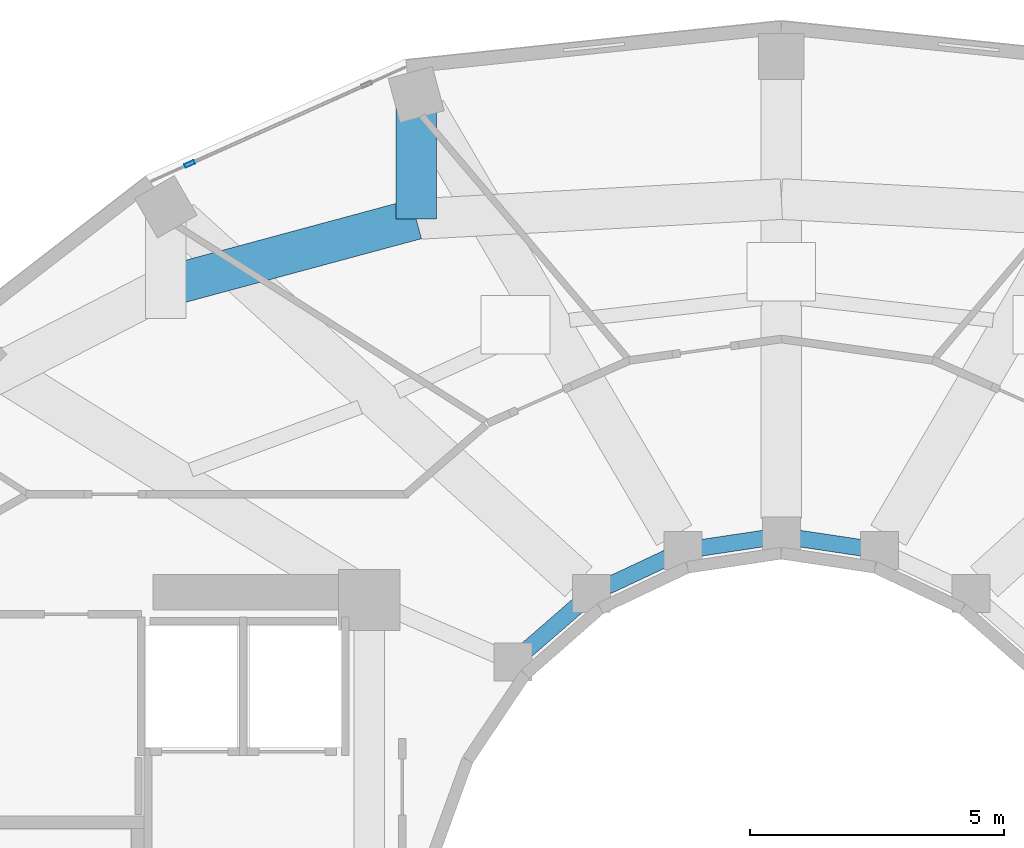
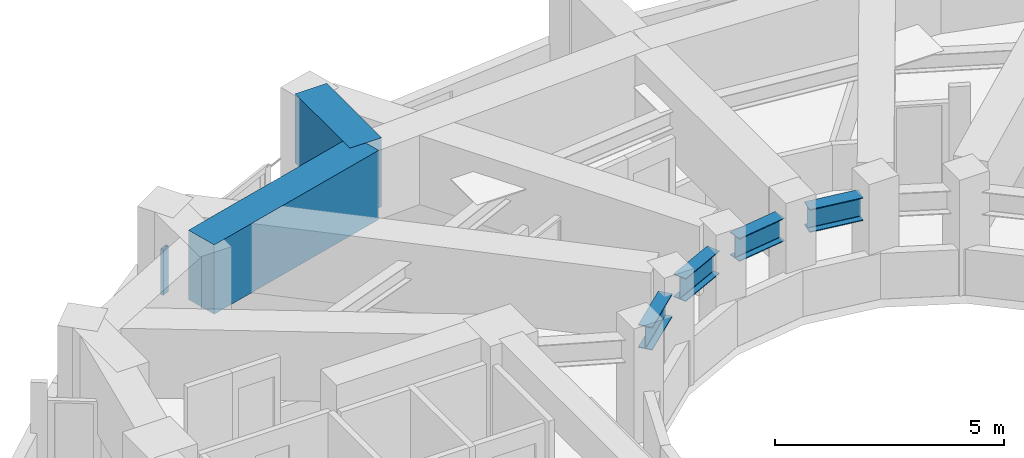
# One storey, part 6 of 20: 6 beams, 1 member, 1 element without a shape of its own.
"""IFC4 building model written with IfcOpenShell, lengths in metres."""

from ifc_helpers import new_model, si_unit, direction, frame, origin, origin_2d, place, context, subcontext, project, spatial, rectangle, hollow_rectangle, i_section, extrude, material, layer, layer_set, material_profile, profile_set, type_object, element, aggregate, save


model = new_model("IFC4")

# Units and contexts
model_context = context("Model", 3, precision=1e-05, world=origin(), true_north=direction((0.0, 1.0)))
body_context = subcontext(model_context, "Body", "Model", "MODEL_VIEW")
ifc_project = project(units=[si_unit("LENGTHUNIT", "METRE"), si_unit("AREAUNIT", "SQUARE_METRE"), si_unit("VOLUMEUNIT", "CUBIC_METRE"), si_unit("PLANEANGLEUNIT", "RADIAN"), si_unit("MASSUNIT", "GRAM", prefix="KILO")], contexts=[model_context])

# Site, building, storey
site_placement = place(None, origin())
site = spatial("IfcSite", under=ifc_project, at=site_placement, CompositionType="ELEMENT")
building_placement = place(site_placement, origin())
building = spatial("IfcBuilding", under=site, at=building_placement, Name="Solvane Sanctuary Tower", CompositionType="ELEMENT")
storey_placement = place(building_placement, frame((0.0, 0.0, 159.10009765625)))
storey = spatial("IfcBuildingStorey", under=building, at=storey_placement, Name="L48", CompositionType="ELEMENT", Elevation=159.10009765625)

# Beams
ifc_material_1 = material(Name="Steel ASTM A992 Grade 50", Category="steel")
ifc_material_profile_1 = material_profile(ifc_material_1, i_section(OverallWidth=0.324951171875, OverallDepth=0.615966796875, WebThickness=0.013916015625, FlangeThickness=0.021484375, FilletRadius=0.01611328125, at=origin_2d()), Name="W24X117")
ifc_profile_set_1 = profile_set([ifc_material_profile_1], Name="Steel ASTM A992 Grade 50")
beam_type_1 = type_object("IfcBeamType", Name="Beam B-RING-IN2 W24X117", PredefinedType="BEAM", material=ifc_profile_set_1)
beam_1_placement = place(storey_placement, frame((26.9853515625, 29.20849609375, 2.289794921875), z_axis=(0.754311313851, 0.656516901379, 0.0), x_axis=(-0.656516901379, 0.754311313851, 0.0)))
element("IfcBeam", 1, at=beam_1_placement, inside=storey, type_object=beam_type_1, Name="L48 Inner Light-Well Ring Beam IC07-IC06", PredefinedType="BEAM", context=body_context, shape_type="SweptSolid", body=[
    extrude(i_section(OverallWidth=0.324951171875, OverallDepth=0.615966796875, WebThickness=0.013916015625, FlangeThickness=0.021484375, FilletRadius=0.01611328125, at=origin_2d()), origin(), (0.0, 0.0, 1.0), 1.358154296875),
])
beam_2_placement = place(storey_placement, frame((28.582275390625, 30.473388671875, 2.289794921875), z_axis=(0.9051808128, 0.425026700502, 0.0), x_axis=(-0.425026700502, 0.9051808128, 0.0)))
element("IfcBeam", 2, at=beam_2_placement, inside=storey, type_object=beam_type_1, Name="L48 Inner Light-Well Ring Beam IC06-IC05", PredefinedType="BEAM", context=body_context, shape_type="SweptSolid", body=[
    extrude(i_section(OverallWidth=0.324951171875, OverallDepth=0.615966796875, WebThickness=0.013916015625, FlangeThickness=0.021484375, FilletRadius=0.01611328125, at=origin_2d()), origin(), (0.0, 0.0, 1.0), 1.297607421875),
])
for number, where, z_axis, x_axis, name in (
    (3, (30.410400390625, 31.22265625, 2.289794921875), (0.989019905763, 0.147782360259, 0.0), (-0.147782360259, 0.989019905763, 0.0), "L48 Inner Light-Well Ring Beam IC05-IC04"),
    (4, (32.34130859375, 31.4091796875, 2.289794921875), (0.989019905763, -0.147782360259, 0.0), (0.147782360259, 0.989019905763, 0.0), "L48 Inner Light-Well Ring Beam IC04-IC03"),
):
    element("IfcBeam", number, at=place(storey_placement, frame(where, z_axis=z_axis, x_axis=x_axis)), inside=storey, type_object=beam_type_1, Name=name, PredefinedType="BEAM", context=body_context, shape_type="SweptSolid", body=[
        extrude(i_section(OverallWidth=0.324951171875, OverallDepth=0.615966796875, WebThickness=0.013916015625, FlangeThickness=0.021484375, FilletRadius=0.01611328125, at=origin_2d()), origin(), (0.0, 0.0, 1.0), 1.26220703125),
    ])
ifc_material_2 = material(Name="Concrete C70/85", Category="concrete")
ifc_material_profile_2 = material_profile(ifc_material_2, rectangle(XDim=0.800048828125, YDim=1.85009765625, at=origin_2d()), Name="RC800X1850")
ifc_profile_set_2 = profile_set([ifc_material_profile_2], Name="Concrete C70/85")
beam_type_2 = type_object("IfcBeamType", Name="Beam B-XFER-BLK RC800X1850", PredefinedType="BEAM", material=ifc_profile_set_2)
beam_3_placement = place(storey_placement, frame((24.82177734375, 40.084716796875, 2.1748046875), z_axis=(0.0, -1.0, 0.0), x_axis=(1.0, 0.0, 0.0)))
element("IfcBeam", 5, at=beam_3_placement, inside=storey, type_object=beam_type_2, Name="L48 Block-Shift Transfer Tie 05B", PredefinedType="BEAM", context=body_context, shape_type="SweptSolid", body=[
    extrude(rectangle(XDim=0.800048828125, YDim=1.85009765625, at=origin_2d()), origin(), (0.0, 0.0, 1.0), 2.39794921875),
])
beam_4_placement = place(storey_placement, frame((19.90185546875, 36.359375, 2.1748046875), z_axis=(0.965477774792, 0.260485443705, 0.0), x_axis=(-0.260485443705, 0.965477774792, 0.0)))
element("IfcBeam", 6, at=beam_4_placement, inside=storey, type_object=beam_type_2, Name="L48 Perimeter Step Transfer Ring NTC06-NTC05", PredefinedType="BEAM", context=body_context, shape_type="SweptSolid", body=[
    extrude(rectangle(XDim=0.800048828125, YDim=1.85009765625, at=origin_2d()), origin(), (0.0, 0.0, 1.0), 5.095947265625),
])

# Curtain wall, member
ifc_material_3 = material(Name="Anodised Aluminium 6063-T6", Category="aluminium")
ifc_layer = layer(ifc_material_3, 0.179931640625, Name="Anodised Aluminium 6063-T6")
ifc_layer_set = layer_set([ifc_layer], Name="Anodised Aluminium 6063-T6")
curtain_wall_type = type_object("IfcCurtainWallType", Name="Curtain Wall CW-FRIT-Z2", PredefinedType="NOTDEFINED", material=ifc_layer_set)
curtain_wall_placement = place(storey_placement, origin())
curtain_wall = element("IfcCurtainWall", 7, at=curtain_wall_placement, inside=storey, type_object=curtain_wall_type, Name="L48 CW-FRIT-Z2 Facade Run 07", PredefinedType="NOTDEFINED")
ifc_material_profile_3 = material_profile(ifc_material_3, hollow_rectangle(XDim=0.074951171875, YDim=0.199951171875, WallThickness=0.00390625, at=origin_2d()), Name="ALU200X75X4")
ifc_profile_set_3 = profile_set([ifc_material_profile_3], Name="Anodised Aluminium 6063-T6")
member_type = type_object("IfcMemberType", Name="Member M-CW-MUL-1 ALU200X75X4", PredefinedType="MULLION", material=ifc_profile_set_3)
member_placement = place(storey_placement, frame((20.369140625, 38.7705078125, 0.0), z_axis=(0.0, 0.0, 1.0), x_axis=(0.409410643281, -0.912350220676, 0.0)))
member = element("IfcMember", 8, at=member_placement, type_object=member_type, Name="CW-FRIT-Z2 mullion 2", PredefinedType="MULLION", context=body_context, shape_type="SweptSolid", body=[
    extrude(hollow_rectangle(XDim=0.074951171875, YDim=0.199951171875, WallThickness=0.00390625, at=origin_2d()), origin(), (0.0, 0.0, 1.0), 1.219970703125),
])
aggregate(curtain_wall, [member])

save(model, "model.ifc")
